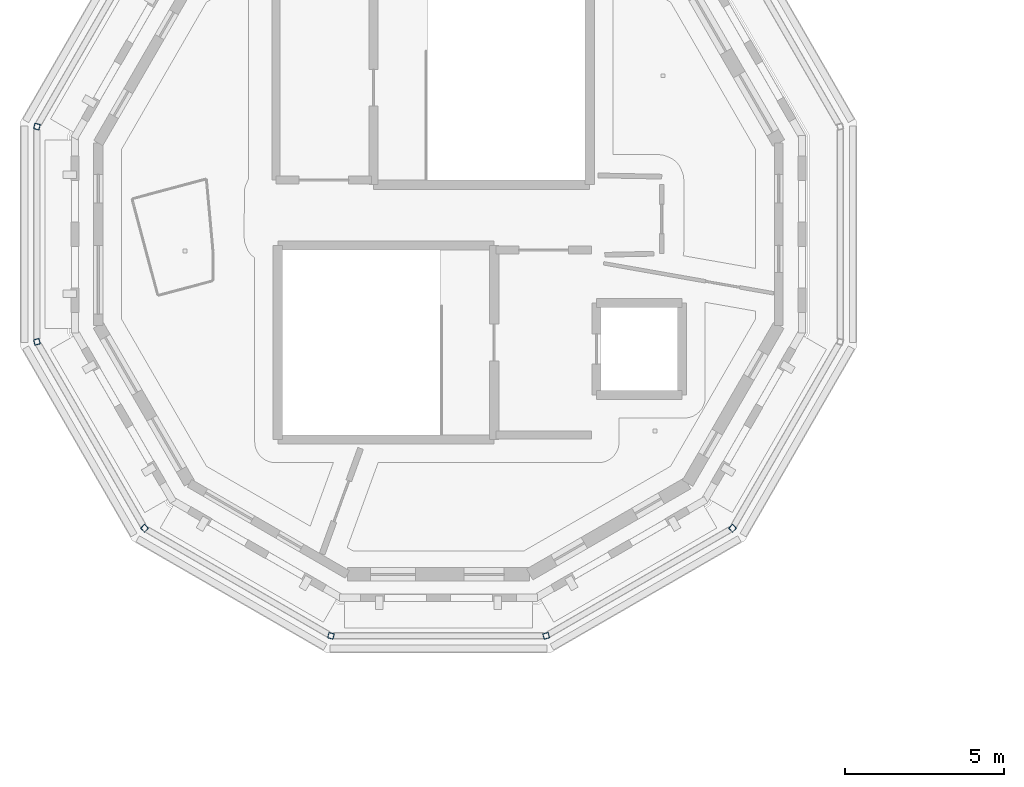
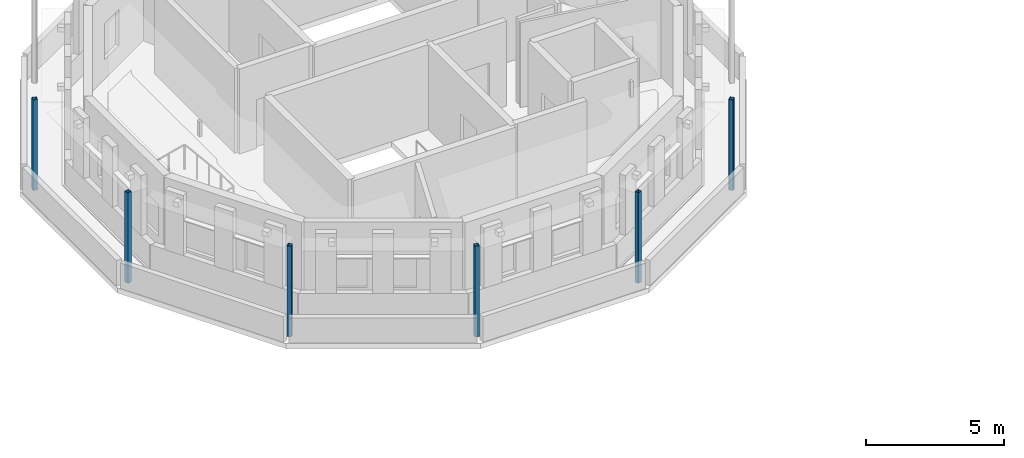
# One storey, part 1 of 51: 6 columns.
"""IFC4 building model written with IfcOpenShell, lengths in metres."""

from ifc_helpers import new_model, si_unit, direction, frame, origin, origin_2d, place, context, subcontext, project, spatial, hollow_rectangle, extrude, material, material_profile, profile_set, type_object, element, save


model = new_model("IFC4")

# Units and contexts
model_context = context("Model", 3, precision=1e-05, world=origin(), true_north=direction((0.0, 1.0)))
body_context = subcontext(model_context, "Body", "Model", "MODEL_VIEW")
ifc_project = project(units=[si_unit("LENGTHUNIT", "METRE"), si_unit("AREAUNIT", "SQUARE_METRE"), si_unit("VOLUMEUNIT", "CUBIC_METRE"), si_unit("PLANEANGLEUNIT", "RADIAN"), si_unit("MASSUNIT", "GRAM", prefix="KILO")], contexts=[model_context])

# Site, building, storey
site_placement = place(None, origin())
site = spatial("IfcSite", under=ifc_project, at=site_placement, CompositionType="ELEMENT")
building_placement = place(site_placement, origin())
building = spatial("IfcBuilding", under=site, at=building_placement, Name="Wrenclough Park School", CompositionType="ELEMENT")
storey_placement = place(building_placement, frame((0.0, 0.0, 16.800048828125)))
storey = spatial("IfcBuildingStorey", under=building, at=storey_placement, Name="L04", CompositionType="ELEMENT", Elevation=16.800048828125)

# Columns
ifc_material = material(Name="Structural steel S355", Category="steel")
ifc_material_profile = material_profile(ifc_material, hollow_rectangle(XDim=0.179931640625, YDim=0.179931640625, WallThickness=0.010009765625, InnerFilletRadius=0.010009765625, OuterFilletRadius=0.014892578125, at=origin_2d()), Name="SHS 180x180x10.0")
ifc_profile_set = profile_set([ifc_material_profile], Name="Structural steel S355")
column_type = type_object("IfcColumnType", Name="STR-COL-SHS180", PredefinedType="PILASTER", material=ifc_profile_set)
for number, where, z_axis, x_axis, name in (
    (1, (3.894775390625, 92.877685546875, 0.0), (0.0, 0.0, 1.0), (-0.258819045103, -0.965925826289, 0.0), "D3 L04 column D3-OUT-06"),
    (2, (3.894775390625, 86.122314453125, 0.0), (0.0, 0.0, 1.0), (0.258819045103, -0.965925826289, 0.0), "D3 L04 column D3-OUT-07"),
    (3, (7.272216796875, 80.272216796875, 0.0), (0.0, 0.0, 1.0), (0.707106781187, -0.707106781187, 0.0), "D3 L04 column D3-OUT-08"),
    (4, (13.122314453125, 76.894775390625, 0.0), (0.0, 0.0, 1.0), (0.965925826289, -0.258819045103, 0.0), "D3 L04 column D3-OUT-09"),
    (5, (19.877685546875, 76.894775390625, 0.0), (0.0, 0.0, 1.0), (0.965925826289, 0.258819045103, 0.0), "D3 L04 column D3-OUT-10"),
    (6, (25.727783203125, 80.272216796875, 0.0), (0.0, 0.0, 1.0), (0.707106781187, 0.707106781187, 0.0), "D3 L04 column D3-OUT-11"),
):
    element("IfcColumn", number, at=place(storey_placement, frame(where, z_axis=z_axis, x_axis=x_axis)), inside=storey, type_object=column_type, Name=name, PredefinedType="PILASTER", context=body_context, shape_type="SweptSolid", body=[
        extrude(hollow_rectangle(XDim=0.179931640625, YDim=0.179931640625, WallThickness=0.010009765625, InnerFilletRadius=0.010009765625, OuterFilletRadius=0.014892578125, at=origin_2d()), origin(), (0.0, 0.0, 1.0), 4.0),
    ])

save(model, "model.ifc")
